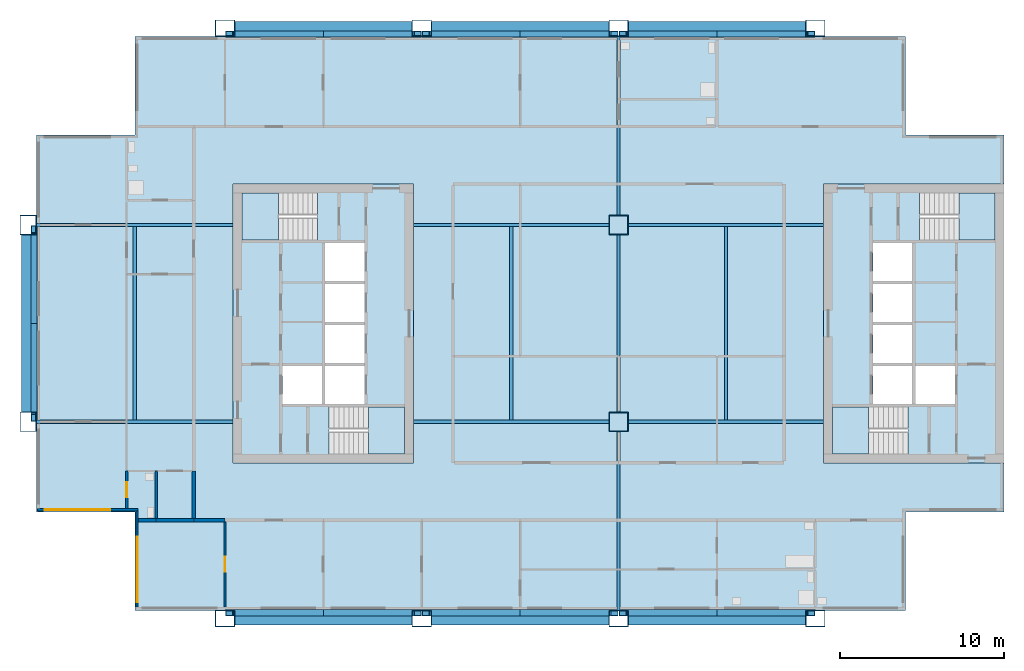
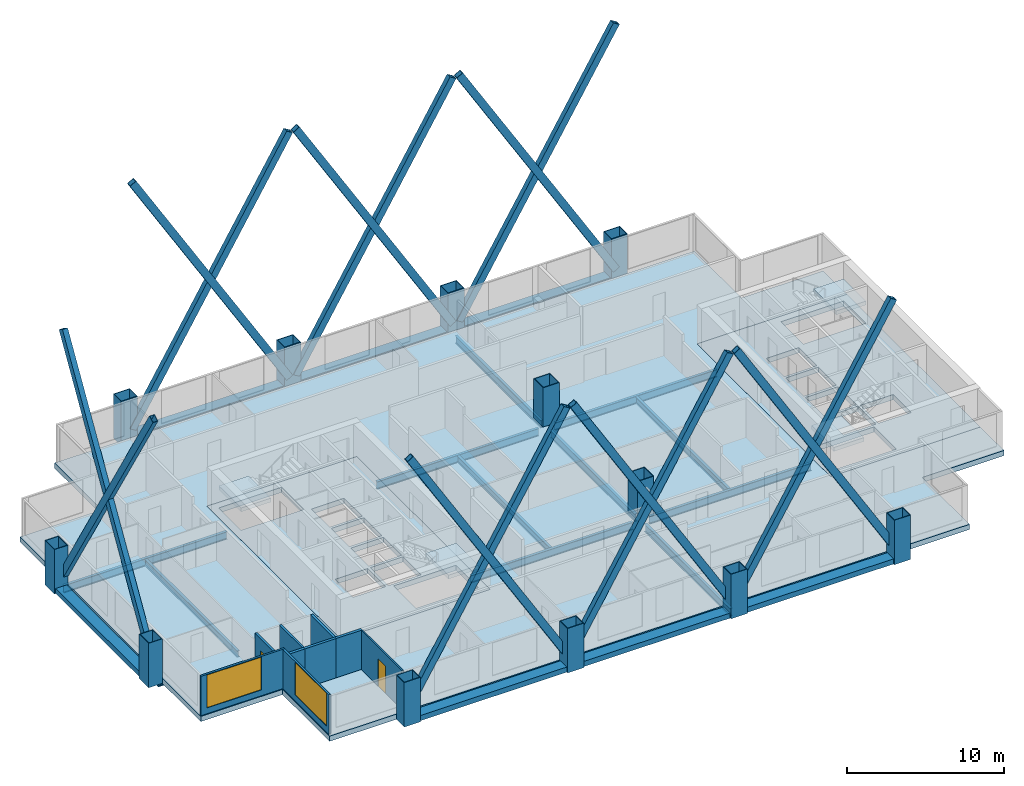
# One storey, part 1 of 9: 19 beams, 14 members, 12 columns, 9 walls, 7 slabs, 2 doors, 2 windows, 4 openings, 4 elements without a shape of their own.
"""IFC4 building model written with IfcOpenShell, lengths in metres."""

from ifc_helpers import new_model, si_unit, direction, frame, frame_2d, origin, origin_2d, place, context, subcontext, project, spatial, polyline, rectangle, hollow_rectangle, i_section, outline, extrude, material, layer, layer_set, material_profile, profile_set, type_object, element, fill, aggregate, save


model = new_model("IFC4")

# Units and contexts
model_context = context("Model", 3, precision=1e-05, world=origin(), true_north=direction((0.0, 1.0)))
body_context = subcontext(model_context, "Body", "Model", "MODEL_VIEW")
ifc_project = project(units=[si_unit("LENGTHUNIT", "METRE"), si_unit("AREAUNIT", "SQUARE_METRE"), si_unit("VOLUMEUNIT", "CUBIC_METRE"), si_unit("PLANEANGLEUNIT", "RADIAN"), si_unit("MASSUNIT", "GRAM", prefix="KILO")], contexts=[model_context])

# Site, building, storey
site_placement = place(None, origin())
site = spatial("IfcSite", under=ifc_project, at=site_placement, CompositionType="ELEMENT")
building_placement = place(site_placement, origin())
building = spatial("IfcBuilding", under=site, at=building_placement, Name="Kitamizu Gate Tower and Museum", CompositionType="ELEMENT")
storey_placement = place(building_placement, frame((0.0, 0.0, 192.75)))
storey = spatial("IfcBuildingStorey", under=building, at=storey_placement, Name="L51", CompositionType="ELEMENT", Elevation=192.75)

# Columns
ifc_material_1 = material(Name="Steel SM490A bronze coated", Category="steel")
ifc_material_profile_1 = material_profile(ifc_material_1, hollow_rectangle(XDim=1.199951171875, YDim=1.0, WallThickness=0.044921875, at=origin_2d()), Name="BOX 1200x1000x45")
ifc_profile_set_1 = profile_set([ifc_material_profile_1], Name="Steel SM490A bronze coated")
column_type_1 = type_object("IfcColumnType", Name="Exoskeleton column XC7 BOX 1200x1000x45", PredefinedType="COLUMN", material=ifc_profile_set_1)
for number, where, z_axis, x_axis, name in (
    (1, (0.0, 24.0, -0.39990234375), (0.0, 0.0, 1.0), (0.0, 1.0, 0.0), "Column XC7 1C L51"),
    (2, (0.0, 36.0, -0.39990234375), (0.0, 0.0, 1.0), (0.0, 1.0, 0.0), "Column XC7 1D L51"),
    (3, (12.0, 12.0, -0.39990234375), (0.0, 0.0, 1.0), (1.0, 0.0, 0.0), "Column XC7 2B L51"),
    (4, (12.0, 48.0, -0.39990234375), (0.0, 0.0, 1.0), (1.0, 0.0, 0.0), "Column XC7 2E L51"),
    (5, (24.0, 12.0, -0.39990234375), (0.0, 0.0, 1.0), (1.0, 0.0, 0.0), "Column XC7 3B L51"),
    (6, (24.0, 48.0, -0.39990234375), (0.0, 0.0, 1.0), (1.0, 0.0, 0.0), "Column XC7 3E L51"),
    (7, (36.0, 12.0, -0.39990234375), (0.0, 0.0, 1.0), (1.0, 0.0, 0.0), "Column XC7 4B L51"),
    (8, (36.0, 48.0, -0.39990234375), (0.0, 0.0, 1.0), (1.0, 0.0, 0.0), "Column XC7 4E L51"),
    (9, (48.0, 12.0, -0.39990234375), (0.0, 0.0, 1.0), (1.0, 0.0, 0.0), "Column XC7 5B L51"),
    (10, (48.0, 48.0, -0.39990234375), (0.0, 0.0, 1.0), (1.0, 0.0, 0.0), "Column XC7 5E L51"),
):
    element("IfcColumn", number, at=place(storey_placement, frame(where, z_axis=z_axis, x_axis=x_axis)), inside=storey, type_object=column_type_1, Name=name, PredefinedType="COLUMN", context=body_context, shape_type="SweptSolid", body=[
        extrude(hollow_rectangle(XDim=1.199951171875, YDim=1.0, WallThickness=0.044921875, at=origin_2d()), origin(), (0.0, 0.0, 1.0), 3.449951171875),
    ])
ifc_material_2 = material(Name="Steel SM490A", Category="steel")
ifc_material_profile_2 = material_profile(ifc_material_2, hollow_rectangle(XDim=1.199951171875, YDim=1.199951171875, WallThickness=0.050048828125, at=origin_2d()), Name="BOX 1200x1200x50")
ifc_profile_set_2 = profile_set([ifc_material_profile_2], Name="Steel SM490A")
column_type_2 = type_object("IfcColumnType", Name="Interior column IC4 BOX 1200x1200x50", PredefinedType="COLUMN", material=ifc_profile_set_2)
for number, where, z_axis, x_axis, name in (
    (11, (36.0, 24.0, 0.0), (0.0, 0.0, 1.0), (1.0, 0.0, 0.0), "Column IC4 4C L51"),
    (12, (36.0, 36.0, 0.0), (0.0, 0.0, 1.0), (1.0, 0.0, 0.0), "Column IC4 4D L51"),
):
    element("IfcColumn", number, at=place(storey_placement, frame(where, z_axis=z_axis, x_axis=x_axis)), inside=storey, type_object=column_type_2, Name=name, PredefinedType="COLUMN", context=body_context, shape_type="SweptSolid", body=[
        extrude(hollow_rectangle(XDim=1.199951171875, YDim=1.199951171875, WallThickness=0.050048828125, at=origin_2d()), origin(), (0.0, 0.0, 1.0), 3.050048828125),
    ])

# Members
ifc_material_3 = material(Name="Steel SM490A bronze coated", Category="steel")
ifc_material_profile_3 = material_profile(ifc_material_3, hollow_rectangle(XDim=0.3798828125, YDim=0.52001953125, WallThickness=0.028076171875, at=origin_2d()), Name="BOX 380x520x28")
ifc_profile_set_3 = profile_set([ifc_material_profile_3], Name="Steel SM490A bronze coated")
member_type = type_object("IfcMemberType", Name="Exoskeleton brace XB9 BOX 380x520x28", PredefinedType="BRACE", material=ifc_profile_set_3)
for number, where, z_axis, x_axis, name in (
    (13, (12.25, 12.360107421875, 0.60009765625), (0.515817268312, 0.0, 0.85669863179), (0.0, 1.0, 0.0), "Exoskeleton brace XB9 south 12 L51"),
    (14, (23.75, 12.360107421875, 0.60009765625), (-0.515817268312, 0.0, 0.85669863179), (0.0, -1.0, 0.0), "Exoskeleton brace XB9 south 12 L51"),
    (15, (24.25, 12.360107421875, 0.60009765625), (0.515817268312, 0.0, 0.85669863179), (0.0, 1.0, 0.0), "Exoskeleton brace XB9 south 24 L51"),
    (16, (35.75, 12.360107421875, 0.60009765625), (-0.515817268312, 0.0, 0.85669863179), (0.0, -1.0, 0.0), "Exoskeleton brace XB9 south 24 L51"),
    (17, (36.25, 12.360107421875, 0.60009765625), (0.515817268312, 0.0, 0.85669863179), (0.0, 1.0, 0.0), "Exoskeleton brace XB9 south 36 L51"),
    (18, (47.75, 12.360107421875, 0.60009765625), (-0.515817268312, 0.0, 0.85669863179), (0.0, -1.0, 0.0), "Exoskeleton brace XB9 south 36 L51"),
    (19, (12.25, 47.639892578125, 0.60009765625), (0.515817268312, 0.0, 0.85669863179), (0.0, 1.0, 0.0), "Exoskeleton brace XB9 north 12 L51"),
    (20, (23.75, 47.639892578125, 0.60009765625), (-0.515817268312, 0.0, 0.85669863179), (0.0, -1.0, 0.0), "Exoskeleton brace XB9 north 12 L51"),
    (21, (24.25, 47.639892578125, 0.60009765625), (0.515817268312, 0.0, 0.85669863179), (0.0, 1.0, 0.0), "Exoskeleton brace XB9 north 24 L51"),
    (22, (35.75, 47.639892578125, 0.60009765625), (-0.515817268312, 0.0, 0.85669863179), (0.0, -1.0, 0.0), "Exoskeleton brace XB9 north 24 L51"),
    (23, (36.25, 47.639892578125, 0.60009765625), (0.515817268312, 0.0, 0.85669863179), (0.0, 1.0, 0.0), "Exoskeleton brace XB9 north 36 L51"),
    (24, (47.75, 47.639892578125, 0.60009765625), (-0.515817268312, 0.0, 0.85669863179), (0.0, -1.0, 0.0), "Exoskeleton brace XB9 north 36 L51"),
    (25, (0.360107421875, 24.25, 0.60009765625), (0.0, 0.515817268312, 0.85669863179), (-1.0, 0.0, 0.0), "Exoskeleton brace XB9 west 24 L51"),
    (26, (0.360107421875, 35.75, 0.60009765625), (0.0, -0.515817268312, 0.85669863179), (1.0, 0.0, 0.0), "Exoskeleton brace XB9 west 24 L51"),
):
    element("IfcMember", number, at=place(storey_placement, frame(where, z_axis=z_axis, x_axis=x_axis)), inside=storey, type_object=member_type, Name=name, PredefinedType="BRACE", context=body_context, shape_type="SweptSolid", body=[
        extrude(hollow_rectangle(XDim=0.3798828125, YDim=0.52001953125, WallThickness=0.028076171875, at=origin_2d()), origin(), (0.0, 0.0, 1.0), 22.294677734375),
    ])

# Beams
ifc_material_4 = material(Name="Steel SM490A bronze coated", Category="steel")
ifc_material_profile_4 = material_profile(ifc_material_4, hollow_rectangle(XDim=0.800048828125, YDim=0.39990234375, WallThickness=0.0400390625, at=origin_2d()), Name="BOX 800x400x40")
ifc_profile_set_4 = profile_set([ifc_material_profile_4], Name="Steel SM490A bronze coated")
beam_type_1 = type_object("IfcBeamType", Name="Exoskeleton spandrel beam SB1 BOX 800x400x40", PredefinedType="SPANDREL", material=ifc_profile_set_4)
for number, where, z_axis, x_axis, name in (
    (27, (12.60009765625, 12.0, -0.199951171875), (1.0, 0.0, 0.0), (0.0, 1.0, 0.0), "Exoskeleton spandrel beam south 12 L51"),
    (28, (24.60009765625, 12.0, -0.199951171875), (1.0, 0.0, 0.0), (0.0, 1.0, 0.0), "Exoskeleton spandrel beam south 24 L51"),
    (29, (36.60009765625, 12.0, -0.199951171875), (1.0, 0.0, 0.0), (0.0, 1.0, 0.0), "Exoskeleton spandrel beam south 36 L51"),
    (30, (12.60009765625, 48.0, -0.199951171875), (1.0, 0.0, 0.0), (0.0, 1.0, 0.0), "Exoskeleton spandrel beam north 12 L51"),
    (31, (24.60009765625, 48.0, -0.199951171875), (1.0, 0.0, 0.0), (0.0, 1.0, 0.0), "Exoskeleton spandrel beam north 24 L51"),
    (32, (36.60009765625, 48.0, -0.199951171875), (1.0, 0.0, 0.0), (0.0, 1.0, 0.0), "Exoskeleton spandrel beam north 36 L51"),
    (33, (0.0, 24.60009765625, -0.199951171875), (0.0, 1.0, 0.0), (-1.0, 0.0, 0.0), "Exoskeleton spandrel beam west 24 L51"),
):
    element("IfcBeam", number, at=place(storey_placement, frame(where, z_axis=z_axis, x_axis=x_axis)), inside=storey, type_object=beam_type_1, Name=name, PredefinedType="SPANDREL", context=body_context, shape_type="SweptSolid", body=[
        extrude(hollow_rectangle(XDim=0.800048828125, YDim=0.39990234375, WallThickness=0.0400390625, at=origin_2d()), origin(), (0.0, 0.0, 1.0), 10.7998046875),
    ])
ifc_material_5 = material(Name="Steel SM490A", Category="steel")
ifc_material_profile_5 = material_profile(ifc_material_5, i_section(OverallWidth=0.199951171875, OverallDepth=0.5, WebThickness=0.010009765625, FlangeThickness=0.01611328125, FilletRadius=0.02001953125, at=origin_2d()), Name="H-500x200x10x16")
ifc_profile_set_5 = profile_set([ifc_material_profile_5], Name="Steel SM490A")
beam_type_2 = type_object("IfcBeamType", Name="Floor beam FB1 H 500x200x10x16", PredefinedType="BEAM", material=ifc_profile_set_5)
for number, where, z_axis, x_axis, name in (
    (34, (6.5, 24.10009765625, -0.64990234375), (0.0, 1.0, 0.0), (-1.0, 0.0, 0.0), "Floor beam FB1 L51-1"),
    (35, (29.449951171875, 24.10009765625, -0.64990234375), (0.0, 1.0, 0.0), (-1.0, 0.0, 0.0), "Floor beam FB1 L51-2"),
    (36, (42.550048828125, 24.10009765625, -0.64990234375), (0.0, 1.0, 0.0), (-1.0, 0.0, 0.0), "Floor beam FB1 L51-3"),
):
    element("IfcBeam", number, at=place(storey_placement, frame(where, z_axis=z_axis, x_axis=x_axis)), inside=storey, type_object=beam_type_2, Name=name, PredefinedType="BEAM", context=body_context, shape_type="SweptSolid", body=[
        extrude(i_section(OverallWidth=0.199951171875, OverallDepth=0.5, WebThickness=0.010009765625, FlangeThickness=0.01611328125, FilletRadius=0.02001953125, at=origin_2d()), origin(), (0.0, 0.0, 1.0), 11.7998046875),
    ])
ifc_material_6 = material(Name="Steel SM490A", Category="steel")
ifc_material_profile_6 = material_profile(ifc_material_6, i_section(OverallWidth=0.199951171875, OverallDepth=0.60009765625, WebThickness=0.010986328125, FlangeThickness=0.01708984375, FilletRadius=0.02197265625, at=origin_2d()), Name="H-600x200x11x17")
ifc_profile_set_6 = profile_set([ifc_material_profile_6], Name="Steel SM490A")
beam_type_3 = type_object("IfcBeamType", Name="Floor girder FG1 H 600x200x11x17", PredefinedType="BEAM", material=ifc_profile_set_6)
beam_1_placement = place(storey_placement, frame((36.0, 12.5, -0.699951171875), z_axis=(0.0, 1.0, 0.0), x_axis=(-1.0, 0.0, 0.0)))
element("IfcBeam", 37, at=beam_1_placement, inside=storey, type_object=beam_type_3, Name="Floor girder FG1 x36 L51", PredefinedType="BEAM", context=body_context, shape_type="SweptSolid", body=[
    extrude(i_section(OverallWidth=0.199951171875, OverallDepth=0.60009765625, WebThickness=0.010986328125, FlangeThickness=0.01708984375, FilletRadius=0.02197265625, at=origin_2d()), origin(), (0.0, 0.0, 1.0), 10.89990234375),
])
beam_2_placement = place(storey_placement, frame((36.0, 24.60009765625, -0.699951171875), z_axis=(0.0, 1.0, 0.0), x_axis=(-1.0, 0.0, 0.0)))
element("IfcBeam", 38, at=beam_2_placement, inside=storey, type_object=beam_type_3, Name="Floor girder FG1 x36 L51", PredefinedType="BEAM", context=body_context, shape_type="SweptSolid", body=[
    extrude(i_section(OverallWidth=0.199951171875, OverallDepth=0.60009765625, WebThickness=0.010986328125, FlangeThickness=0.01708984375, FilletRadius=0.02197265625, at=origin_2d()), origin(), (0.0, 0.0, 1.0), 10.7998046875),
])
beam_3_placement = place(storey_placement, frame((36.0, 36.60009765625, -0.699951171875), z_axis=(0.0, 1.0, 0.0), x_axis=(-1.0, 0.0, 0.0)))
element("IfcBeam", 39, at=beam_3_placement, inside=storey, type_object=beam_type_3, Name="Floor girder FG1 x36 L51", PredefinedType="BEAM", context=body_context, shape_type="SweptSolid", body=[
    extrude(i_section(OverallWidth=0.199951171875, OverallDepth=0.60009765625, WebThickness=0.010986328125, FlangeThickness=0.01708984375, FilletRadius=0.02197265625, at=origin_2d()), origin(), (0.0, 0.0, 1.0), 10.89990234375),
])
beam_4_placement = place(storey_placement, frame((0.5, 24.0, -0.699951171875), z_axis=(1.0, 0.0, 0.0), x_axis=(0.0, 1.0, 0.0)))
element("IfcBeam", 40, at=beam_4_placement, inside=storey, type_object=beam_type_3, Name="Floor girder FG1 y24 L51", PredefinedType="BEAM", context=body_context, shape_type="SweptSolid", body=[
    extrude(i_section(OverallWidth=0.199951171875, OverallDepth=0.60009765625, WebThickness=0.010986328125, FlangeThickness=0.01708984375, FilletRadius=0.02197265625, at=origin_2d()), origin(), (0.0, 0.0, 1.0), 12.0),
])
for number, where, z_axis, x_axis, name in (
    (41, (23.5, 24.0, -0.699951171875), (1.0, 0.0, 0.0), (0.0, 1.0, 0.0), "Floor girder FG1 y24 L51"),
    (42, (36.60009765625, 24.0, -0.699951171875), (1.0, 0.0, 0.0), (0.0, 1.0, 0.0), "Floor girder FG1 y24 L51"),
):
    element("IfcBeam", number, at=place(storey_placement, frame(where, z_axis=z_axis, x_axis=x_axis)), inside=storey, type_object=beam_type_3, Name=name, PredefinedType="BEAM", context=body_context, shape_type="SweptSolid", body=[
        extrude(i_section(OverallWidth=0.199951171875, OverallDepth=0.60009765625, WebThickness=0.010986328125, FlangeThickness=0.01708984375, FilletRadius=0.02197265625, at=origin_2d()), origin(), (0.0, 0.0, 1.0), 11.89990234375),
    ])
beam_5_placement = place(storey_placement, frame((0.5, 36.0, -0.699951171875), z_axis=(1.0, 0.0, 0.0), x_axis=(0.0, 1.0, 0.0)))
element("IfcBeam", 43, at=beam_5_placement, inside=storey, type_object=beam_type_3, Name="Floor girder FG1 y36 L51", PredefinedType="BEAM", context=body_context, shape_type="SweptSolid", body=[
    extrude(i_section(OverallWidth=0.199951171875, OverallDepth=0.60009765625, WebThickness=0.010986328125, FlangeThickness=0.01708984375, FilletRadius=0.02197265625, at=origin_2d()), origin(), (0.0, 0.0, 1.0), 12.0),
])
for number, where, z_axis, x_axis, name in (
    (44, (23.5, 36.0, -0.699951171875), (1.0, 0.0, 0.0), (0.0, 1.0, 0.0), "Floor girder FG1 y36 L51"),
    (45, (36.60009765625, 36.0, -0.699951171875), (1.0, 0.0, 0.0), (0.0, 1.0, 0.0), "Floor girder FG1 y36 L51"),
):
    element("IfcBeam", number, at=place(storey_placement, frame(where, z_axis=z_axis, x_axis=x_axis)), inside=storey, type_object=beam_type_3, Name=name, PredefinedType="BEAM", context=body_context, shape_type="SweptSolid", body=[
        extrude(i_section(OverallWidth=0.199951171875, OverallDepth=0.60009765625, WebThickness=0.010986328125, FlangeThickness=0.01708984375, FilletRadius=0.02197265625, at=origin_2d()), origin(), (0.0, 0.0, 1.0), 11.89990234375),
    ])

# Slabs
ifc_material_7 = material(Name="Concrete Fc36", Category="concrete")
ifc_layer_1 = layer(ifc_material_7, 0.39990234375)
ifc_layer_set_1 = layer_set([ifc_layer_1], Name="Concrete Fc36")
slab_type_1 = type_object("IfcSlabType", Name="Core floor slab 400", PredefinedType="FLOOR", material=ifc_layer_set_1)
slab_1_placement = place(storey_placement, frame((0.0, 0.0, -0.39990234375)))
element("IfcSlab", 46, at=slab_1_placement, inside=storey, type_object=slab_type_1, Name="Core floor slab W", PredefinedType="FLOOR", context=body_context, shape_type="SweptSolid", body=[
    extrude(outline(polyline([(12.5, 21.5), (23.5, 21.5), (23.5, 38.5), (12.5, 38.5), (12.5, 21.5)]), holes=[polyline([(15.5, 25.10009765625), (17.89990234375, 25.10009765625), (17.89990234375, 27.39990234375), (15.5, 27.39990234375), (15.5, 25.10009765625)]), polyline([(18.10009765625, 25.10009765625), (20.5, 25.10009765625), (20.5, 27.39990234375), (18.10009765625, 27.39990234375), (18.10009765625, 25.10009765625)]), polyline([(18.10009765625, 27.60009765625), (20.5, 27.60009765625), (20.5, 29.89990234375), (18.10009765625, 29.89990234375), (18.10009765625, 27.60009765625)]), polyline([(18.10009765625, 30.10009765625), (20.5, 30.10009765625), (20.5, 32.39990234375), (18.10009765625, 32.39990234375), (18.10009765625, 30.10009765625)]), polyline([(18.10009765625, 32.60009765625), (20.5, 32.60009765625), (20.5, 34.89990234375), (18.10009765625, 34.89990234375), (18.10009765625, 32.60009765625)]), polyline([(18.3505859375, 22.050048828125), (22.949951171875, 22.050048828125), (22.949951171875, 24.89990234375), (18.3505859375, 24.89990234375), (18.3505859375, 22.050048828125)]), polyline([(13.050048828125, 35.10009765625), (17.6494140625, 35.10009765625), (17.6494140625, 37.949951171875), (13.050048828125, 37.949951171875), (13.050048828125, 35.10009765625)])]), origin(), (0.0, 0.0, 1.0), 0.39990234375),
])
slab_2_placement = place(storey_placement, frame((0.0, 0.0, -0.39990234375)))
element("IfcSlab", 47, at=slab_2_placement, inside=storey, type_object=slab_type_1, Name="Core floor slab E", PredefinedType="FLOOR", context=body_context, shape_type="SweptSolid", body=[
    extrude(outline(polyline([(48.5, 21.5), (59.5, 21.5), (59.5, 38.5), (48.5, 38.5), (48.5, 21.5)]), holes=[polyline([(54.10009765625, 25.10009765625), (56.5, 25.10009765625), (56.5, 27.39990234375), (54.10009765625, 27.39990234375), (54.10009765625, 25.10009765625)]), polyline([(51.5, 25.10009765625), (53.89990234375, 25.10009765625), (53.89990234375, 27.39990234375), (51.5, 27.39990234375), (51.5, 25.10009765625)]), polyline([(51.5, 27.60009765625), (53.89990234375, 27.60009765625), (53.89990234375, 29.89990234375), (51.5, 29.89990234375), (51.5, 27.60009765625)]), polyline([(51.5, 30.10009765625), (53.89990234375, 30.10009765625), (53.89990234375, 32.39990234375), (51.5, 32.39990234375), (51.5, 30.10009765625)]), polyline([(51.5, 32.60009765625), (53.89990234375, 32.60009765625), (53.89990234375, 34.89990234375), (51.5, 34.89990234375), (51.5, 32.60009765625)]), polyline([(49.050048828125, 22.050048828125), (53.6494140625, 22.050048828125), (53.6494140625, 24.89990234375), (49.050048828125, 24.89990234375), (49.050048828125, 22.050048828125)]), polyline([(54.3505859375, 35.10009765625), (58.949951171875, 35.10009765625), (58.949951171875, 37.949951171875), (54.3505859375, 37.949951171875), (54.3505859375, 35.10009765625)])]), origin(), (0.0, 0.0, 1.0), 0.39990234375),
])
ifc_material_8 = material(Name="Concrete Fc36", Category="concrete")
ifc_layer_2 = layer(ifc_material_8, 0.39990234375)
ifc_layer_set_2 = layer_set([ifc_layer_2], Name="Concrete Fc36")
slab_type_2 = type_object("IfcSlabType", Name="Post tensioned flat slab 400", PredefinedType="FLOOR", material=ifc_layer_set_2)
slab_3_placement = place(storey_placement, frame((0.0, 0.0, -0.39990234375)))
element("IfcSlab", 48, at=slab_3_placement, inside=storey, type_object=slab_type_2, Name="Floor slab L51-1", PredefinedType="FLOOR", context=body_context, shape_type="SweptSolid", body=[
    extrude(outline(polyline([(0.5, 18.5), (0.5, 41.5), (6.5, 41.5), (6.5, 47.5), (53.5, 47.5), (53.5, 41.5), (59.5, 41.5), (59.5, 38.5), (48.5, 38.5), (48.5, 21.5), (59.5, 21.5), (59.5, 18.5), (53.5, 18.5), (53.5, 12.5), (6.5, 12.5), (6.5, 18.5), (0.5, 18.5)]), holes=[polyline([(12.5, 38.5), (12.5, 21.5), (23.5, 21.5), (23.5, 38.5), (12.5, 38.5)])]), origin(), (0.0, 0.0, 1.0), 0.39990234375),
])

# Stair, slab
ifc_material_9 = material(Name="Concrete Fc42", Category="concrete")
stair_type = type_object("IfcStairType", Name="Exit stair 1325 wide 192 rise 300 going", PredefinedType="HALF_TURN_STAIR", material=ifc_material_9)
stair_1_placement = place(storey_placement, origin())
stair_1 = element("IfcStair", 49, at=stair_1_placement, inside=storey, type_object=stair_type, Name="Exit stair ST1", PredefinedType="HALF_TURN_STAIR")
ifc_material_10 = material(Name="Concrete Fc42", Category="concrete")
ifc_layer_3 = layer(ifc_material_10, 0.300048828125)
ifc_layer_set_3 = layer_set([ifc_layer_3], Name="Concrete Fc42")
slab_type_3 = type_object("IfcSlabType", Name="Stair landing 300", PredefinedType="LANDING", material=ifc_layer_set_3)
slab_4_placement = place(storey_placement, frame((0.0, 0.0, 1.425048828125)))
slab_4 = element("IfcSlab", 50, at=slab_4_placement, type_object=slab_type_3, Name="ST1 landing 1", PredefinedType="LANDING", context=body_context, shape_type="SweptSolid", body=[
    extrude(outline(polyline([(20.75, 22.050048828125), (22.949951171875, 22.050048828125), (22.949951171875, 24.89990234375), (20.75, 24.89990234375), (20.75, 22.050048828125)])), origin(), (0.0, 0.0, 1.0), 0.300048828125),
])
aggregate(stair_1, [slab_4])

stair_2_placement = place(storey_placement, origin())
stair_2 = element("IfcStair", 51, at=stair_2_placement, inside=storey, type_object=stair_type, Name="Exit stair ST2", PredefinedType="HALF_TURN_STAIR")
slab_5_placement = place(storey_placement, frame((0.0, 0.0, 1.425048828125)))
slab_5 = element("IfcSlab", 52, at=slab_5_placement, type_object=slab_type_3, Name="ST2 landing 1", PredefinedType="LANDING", context=body_context, shape_type="SweptSolid", body=[
    extrude(outline(polyline([(13.050048828125, 35.10009765625), (15.25, 35.10009765625), (15.25, 37.949951171875), (13.050048828125, 37.949951171875), (13.050048828125, 35.10009765625)])), origin(), (0.0, 0.0, 1.0), 0.300048828125),
])
aggregate(stair_2, [slab_5])

stair_3_placement = place(storey_placement, origin())
stair_3 = element("IfcStair", 53, at=stair_3_placement, inside=storey, type_object=stair_type, Name="Exit stair ST3", PredefinedType="HALF_TURN_STAIR")
slab_6_placement = place(storey_placement, frame((0.0, 0.0, 1.425048828125)))
slab_6 = element("IfcSlab", 54, at=slab_6_placement, type_object=slab_type_3, Name="ST3 landing 1", PredefinedType="LANDING", context=body_context, shape_type="SweptSolid", body=[
    extrude(outline(polyline([(49.050048828125, 22.050048828125), (51.25, 22.050048828125), (51.25, 24.89990234375), (49.050048828125, 24.89990234375), (49.050048828125, 22.050048828125)])), origin(), (0.0, 0.0, 1.0), 0.300048828125),
])
aggregate(stair_3, [slab_6])

stair_4_placement = place(storey_placement, origin())
stair_4 = element("IfcStair", 55, at=stair_4_placement, inside=storey, type_object=stair_type, Name="Exit stair ST4", PredefinedType="HALF_TURN_STAIR")
slab_7_placement = place(storey_placement, frame((0.0, 0.0, 1.425048828125)))
slab_7 = element("IfcSlab", 56, at=slab_7_placement, type_object=slab_type_3, Name="ST4 landing 1", PredefinedType="LANDING", context=body_context, shape_type="SweptSolid", body=[
    extrude(outline(polyline([(56.75, 35.10009765625), (58.949951171875, 35.10009765625), (58.949951171875, 37.949951171875), (56.75, 37.949951171875), (56.75, 35.10009765625)])), origin(), (0.0, 0.0, 1.0), 0.300048828125),
])
aggregate(stair_4, [slab_7])

# Wall, opening, door
ifc_material_11 = material(Name="Gypsum board on galvanised stud")
ifc_layer_4 = layer(ifc_material_11, 0.10009765625)
ifc_layer_set_4 = layer_set([ifc_layer_4], Name="Gypsum board on galvanised stud")
wall_type_1 = type_object("IfcWallType", Name="Partition 100 NOT RATED", PredefinedType="PARTITIONING", material=ifc_layer_set_4)
wall_1_placement = place(storey_placement, frame((12.0, 12.719970703125, 0.0), z_axis=(0.0, 0.0, 1.0), x_axis=(0.0, 1.0, 0.0)))
wall_1 = element("IfcWall", 57, at=wall_1_placement, inside=storey, type_object=wall_type_1, Name="Partition L51-001", PredefinedType="PARTITIONING", context=body_context, shape_type="SweptSolid", body=[
    extrude(rectangle(XDim=5.179931640625, YDim=0.10009765625, at=frame_2d((2.58984375, 0.0))), origin(), (0.0, 0.0, 1.0), 3.050048828125),
])
opening_1_placement = place(wall_1_placement, frame((2.139892578125, 0.0, 0.0)))
opening_1 = element("IfcOpeningElement", 58, at=opening_1_placement, cuts=wall_1, Name="Opening L51-002", PredefinedType="OPENING", context=body_context, shape_type="SweptSolid", body=[
    extrude(rectangle(XDim=0.89990234375, YDim=2.10009765625, at=frame_2d((0.449951171875, 1.050048828125))), frame((0.0, 0.06005859375, 0.0), z_axis=(0.0, -1.0, 0.0), x_axis=(1.0, 0.0, 0.0)), (0.0, 0.0, 1.0), 0.1201171875),
])
ifc_material_12 = material(Name="Timber door set", Category="wood")
door_type_1 = type_object("IfcDoorType", Name="Room door 900", OperationType="NOTDEFINED", PredefinedType="DOOR", material=ifc_material_12)
door_1_placement = place(opening_1_placement, origin())
door_1 = element("IfcDoor", 59, at=door_1_placement, inside=storey, type_object=door_type_1, Name="Door L51-002", OperationType="SINGLE_SWING_LEFT", OverallHeight=2.10009765625, OverallWidth=0.89990234375, PredefinedType="DOOR", context=body_context, shape_type="SweptSolid", body=[
    extrude(rectangle(XDim=0.89990234375, YDim=2.10009765625, at=frame_2d((0.449951171875, 1.050048828125))), frame((0.0, 0.02490234375, 0.0), z_axis=(0.0, -1.0, 0.0), x_axis=(1.0, 0.0, 0.0)), (0.0, 0.0, 1.0), 0.050048828125),
])
fill(opening_1, door_1)

ifc_material_13 = material(Name="Gypsum board on galvanised stud")
ifc_layer_5 = layer(ifc_material_13, 0.14990234375)
ifc_layer_set_5 = layer_set([ifc_layer_5], Name="Gypsum board on galvanised stud")
wall_type_2 = type_object("IfcWallType", Name="Partition 150", PredefinedType="PARTITIONING", material=ifc_layer_set_5)
wall_2_placement = place(storey_placement, frame((6.0, 18.719970703125, 0.0), z_axis=(0.0, 0.0, 1.0), x_axis=(0.0, 1.0, 0.0)))
wall_2 = element("IfcWall", 60, at=wall_2_placement, inside=storey, type_object=wall_type_2, Name="Partition L51-039", PredefinedType="PARTITIONING", context=body_context, shape_type="SweptSolid", body=[
    extrude(rectangle(XDim=2.280029296875, YDim=0.14990234375, at=frame_2d((1.14013671875, 0.0))), origin(), (0.0, 0.0, 1.0), 3.050048828125),
])
opening_2_placement = place(wall_2_placement, frame((0.68994140625, 0.0, 0.0)))
opening_2 = element("IfcOpeningElement", 61, at=opening_2_placement, cuts=wall_2, Name="Opening L51-022", PredefinedType="OPENING", context=body_context, shape_type="SweptSolid", body=[
    extrude(rectangle(XDim=0.89990234375, YDim=2.10009765625, at=frame_2d((0.449951171875, 1.050048828125))), frame((0.0, 0.0849609375, 0.0), z_axis=(0.0, -1.0, 0.0), x_axis=(1.0, 0.0, 0.0)), (0.0, 0.0, 1.0), 0.169921875),
])
ifc_material_14 = material(Name="Timber door set", Category="wood")
door_type_2 = type_object("IfcDoorType", Name="Bathroom door 900", OperationType="NOTDEFINED", PredefinedType="DOOR", material=ifc_material_14)
door_2_placement = place(opening_2_placement, frame((0.89990234375, 0.0, 0.0), x_axis=(-1.0, 0.0, 0.0)))
door_2 = element("IfcDoor", 62, at=door_2_placement, inside=storey, type_object=door_type_2, Name="Bathroom door L51-022", OperationType="SINGLE_SWING_RIGHT", OverallHeight=2.10009765625, OverallWidth=0.89990234375, PredefinedType="DOOR", context=body_context, shape_type="SweptSolid", body=[
    extrude(rectangle(XDim=0.89990234375, YDim=2.10009765625, at=frame_2d((0.449951171875, 1.050048828125))), frame((0.0, 0.02490234375, 0.0), z_axis=(0.0, -1.0, 0.0), x_axis=(1.0, 0.0, 0.0)), (0.0, 0.0, 1.0), 0.050048828125),
])
fill(opening_2, door_2)

# Walls
wall_3_placement = place(storey_placement, frame((7.800048828125, 18.10009765625, 0.0), z_axis=(0.0, 0.0, 1.0), x_axis=(0.0, 1.0, 0.0)))
element("IfcWall", 63, at=wall_3_placement, inside=storey, type_object=wall_type_2, Name="Partition L51-046", PredefinedType="PARTITIONING", context=body_context, shape_type="SweptSolid", body=[
    extrude(rectangle(XDim=2.89990234375, YDim=0.14990234375, at=frame_2d((1.449951171875, 0.0))), origin(), (0.0, 0.0, 1.0), 3.050048828125),
])
ifc_material_15 = material(Name="Gypsum board on galvanised stud")
ifc_layer_6 = layer(ifc_material_15, 0.199951171875)
ifc_layer_set_6 = layer_set([ifc_layer_6], Name="Gypsum board on galvanised stud")
wall_type_3 = type_object("IfcWallType", Name="Partition 200", PredefinedType="PARTITIONING", material=ifc_layer_set_6)
wall_4_placement = place(storey_placement, frame((7.800048828125, 18.0, 0.0), z_axis=(0.0, 0.0, 1.0), x_axis=(-1.0, 0.0, 0.0)))
element("IfcWall", 64, at=wall_4_placement, inside=storey, type_object=wall_type_3, Name="Partition L51-002", PredefinedType="PARTITIONING", context=body_context, shape_type="SweptSolid", body=[
    extrude(rectangle(XDim=1.080078125, YDim=0.199951171875, at=frame_2d((0.5400390625, 0.0))), origin(), (0.0, 0.0, 1.0), 3.050048828125),
])
wall_5_placement = place(storey_placement, frame((10.10009765625, 18.0, 0.0), z_axis=(0.0, 0.0, 1.0), x_axis=(-1.0, 0.0, 0.0)))
element("IfcWall", 65, at=wall_5_placement, inside=storey, type_object=wall_type_3, Name="Partition L51-003", PredefinedType="PARTITIONING", context=body_context, shape_type="SweptSolid", body=[
    extrude(rectangle(XDim=2.300048828125, YDim=0.199951171875, at=frame_2d((1.14990234375, 0.0))), origin(), (0.0, 0.0, 1.0), 3.050048828125),
])
wall_6_placement = place(storey_placement, frame((12.0, 18.0, 0.0), z_axis=(0.0, 0.0, 1.0), x_axis=(-1.0, 0.0, 0.0)))
element("IfcWall", 66, at=wall_6_placement, inside=storey, type_object=wall_type_3, Name="Partition L51-004", PredefinedType="PARTITIONING", context=body_context, shape_type="SweptSolid", body=[
    extrude(rectangle(XDim=1.89990234375, YDim=0.199951171875, at=frame_2d((0.949951171875, 0.0))), origin(), (0.0, 0.0, 1.0), 3.050048828125),
])
wall_7_placement = place(storey_placement, frame((10.10009765625, 18.10009765625, 0.0), z_axis=(0.0, 0.0, 1.0), x_axis=(0.0, 1.0, 0.0)))
element("IfcWall", 67, at=wall_7_placement, inside=storey, type_object=wall_type_3, Name="Partition L51-049", PredefinedType="PARTITIONING", context=body_context, shape_type="SweptSolid", body=[
    extrude(rectangle(XDim=2.89990234375, YDim=0.199951171875, at=frame_2d((1.449951171875, 0.0))), origin(), (0.0, 0.0, 1.0), 3.050048828125),
])

# Wall, opening, window
ifc_material_16 = material(Name="Bronze anodised aluminium frame with insulated spandrel and tinted glass", Category="aluminium")
ifc_layer_7 = layer(ifc_material_16, 0.14990234375)
ifc_layer_set_7 = layer_set([ifc_layer_7], Name="Bronze anodised aluminium frame with insulated spandrel and tinted glass")
wall_type_4 = type_object("IfcWallType", Name="WINDOW WALL 150 BRONZE FRAME EI 30", PredefinedType="ELEMENTEDWALL", material=ifc_layer_set_7)
wall_8_placement = place(storey_placement, frame((0.56005859375, 18.635009765625, 0.0), z_axis=(0.0, 0.0, 1.0), x_axis=(1.0, 0.0, 0.0)))
wall_8 = element("IfcWall", 68, at=wall_8_placement, inside=storey, type_object=wall_type_4, Name="Window wall south L51", PredefinedType="ELEMENTEDWALL", context=body_context, shape_type="SweptSolid", body=[
    extrude(rectangle(XDim=6.14990234375, YDim=0.14990234375, at=frame_2d((3.074951171875, 0.0))), origin(), (0.0, 0.0, 1.0), 3.050048828125),
])
opening_3_placement = place(wall_8_placement, frame((0.43994140625, 0.0, 0.449951171875)))
opening_3 = element("IfcOpeningElement", 69, at=opening_3_placement, cuts=wall_8, Name="Opening W16", PredefinedType="OPENING", context=body_context, shape_type="SweptSolid", body=[
    extrude(rectangle(XDim=4.0, YDim=2.550048828125, at=frame_2d((2.0, 1.27490234375))), frame((0.0, 0.0849609375, 0.0), z_axis=(0.0, -1.0, 0.0), x_axis=(1.0, 0.0, 0.0)), (0.0, 0.0, 1.0), 0.169921875),
])
ifc_material_17 = material(Name="Bronze anodised aluminium frame, tinted triple glazing", Category="aluminium")
window_type = type_object("IfcWindowType", Name="WINDOW 4000 x 2550 SILL 450", PartitioningType="SINGLE_PANEL", PredefinedType="WINDOW", material=ifc_material_17)
window_1_placement = place(opening_3_placement, origin())
window_1 = element("IfcWindow", 70, at=window_1_placement, inside=storey, type_object=window_type, Name="Window W16 L51", OverallHeight=2.550048828125, OverallWidth=4.0, PartitioningType="SINGLE_PANEL", PredefinedType="WINDOW", context=body_context, shape_type="SweptSolid", body=[
    extrude(rectangle(XDim=4.0, YDim=2.550048828125, at=frame_2d((2.0, 1.27490234375))), frame((0.0, 0.030029296875, 0.0), z_axis=(0.0, -1.0, 0.0), x_axis=(1.0, 0.0, 0.0)), (0.0, 0.0, 1.0), 0.06005859375),
])
fill(opening_3, window_1)

wall_9_placement = place(storey_placement, frame((6.635009765625, 12.7099609375, 0.0), z_axis=(0.0, 0.0, 1.0), x_axis=(0.0, 1.0, 0.0)))
wall_9 = element("IfcWall", 71, at=wall_9_placement, inside=storey, type_object=wall_type_4, Name="Window wall west L51", PredefinedType="ELEMENTEDWALL", context=body_context, shape_type="SweptSolid", body=[
    extrude(rectangle(XDim=5.85009765625, YDim=0.14990234375, at=frame_2d((2.925048828125, 0.0))), origin(), (0.0, 0.0, 1.0), 3.050048828125),
])
opening_4_placement = place(wall_9_placement, frame((0.2900390625, 0.0, 0.449951171875)))
opening_4 = element("IfcOpeningElement", 72, at=opening_4_placement, cuts=wall_9, Name="Opening W16", PredefinedType="OPENING", context=body_context, shape_type="SweptSolid", body=[
    extrude(rectangle(XDim=4.0, YDim=2.550048828125, at=frame_2d((2.0, 1.27490234375))), frame((0.0, 0.0849609375, 0.0), z_axis=(0.0, -1.0, 0.0), x_axis=(1.0, 0.0, 0.0)), (0.0, 0.0, 1.0), 0.169921875),
])
window_2_placement = place(opening_4_placement, origin())
window_2 = element("IfcWindow", 73, at=window_2_placement, inside=storey, type_object=window_type, Name="Window W16 L51", OverallHeight=2.550048828125, OverallWidth=4.0, PartitioningType="SINGLE_PANEL", PredefinedType="WINDOW", context=body_context, shape_type="SweptSolid", body=[
    extrude(rectangle(XDim=4.0, YDim=2.550048828125, at=frame_2d((2.0, 1.27490234375))), frame((0.0, 0.030029296875, 0.0), z_axis=(0.0, -1.0, 0.0), x_axis=(1.0, 0.0, 0.0)), (0.0, 0.0, 1.0), 0.06005859375),
])
fill(opening_4, window_2)

save(model, "model.ifc")
